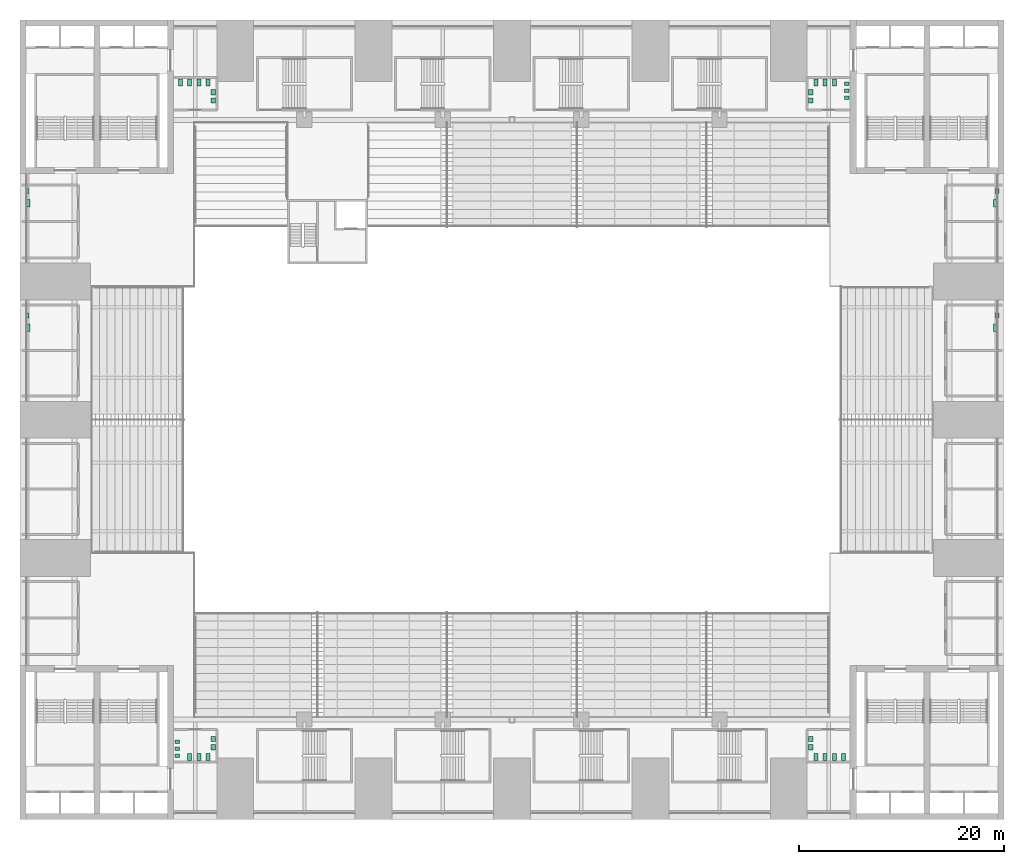
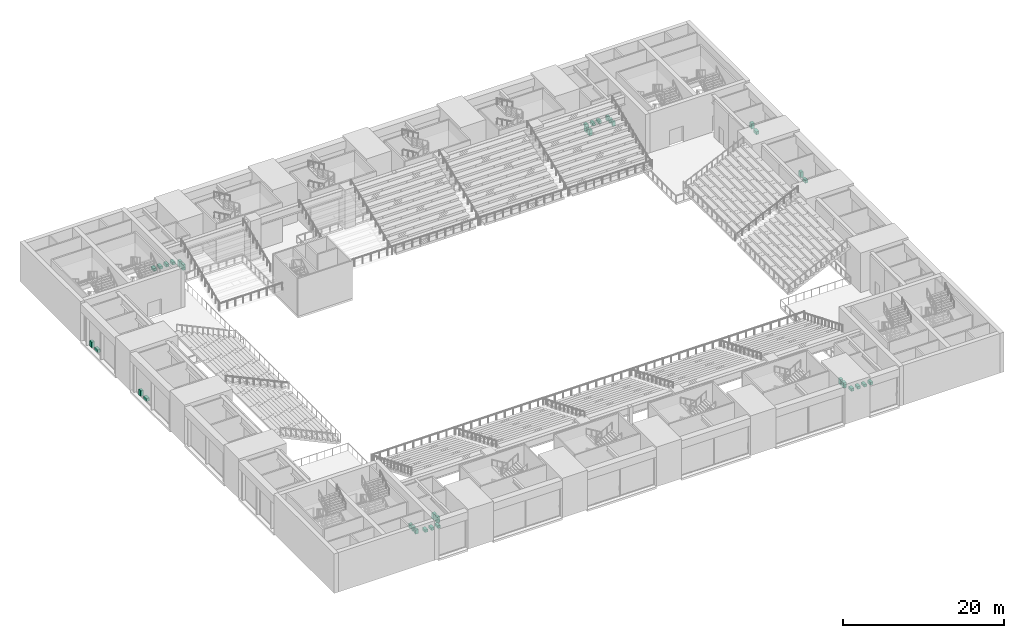
# One storey, part 61 of 61: 36 sanitary terminals.
"""IFC4 building model written with IfcOpenShell, lengths in metres."""

from ifc_helpers import new_model, si_unit, direction, frame, origin, origin_2d, place, context, subcontext, project, spatial, rectangle, extrude, material, type_object, element, save


model = new_model("IFC4")

# Units and contexts
model_context = context("Model", 3, precision=1e-05, world=origin(), true_north=direction((0.0, 1.0)))
body_context = subcontext(model_context, "Body", "Model", "MODEL_VIEW")
ifc_project = project(units=[si_unit("LENGTHUNIT", "METRE"), si_unit("AREAUNIT", "SQUARE_METRE"), si_unit("VOLUMEUNIT", "CUBIC_METRE"), si_unit("PLANEANGLEUNIT", "RADIAN"), si_unit("MASSUNIT", "GRAM", prefix="KILO")], contexts=[model_context])

# Site, building, storey
site_placement = place(None, origin())
site = spatial("IfcSite", under=ifc_project, at=site_placement, CompositionType="ELEMENT")
building_placement = place(site_placement, origin())
building = spatial("IfcBuilding", under=site, at=building_placement, Name="Corbelhall Arena Tower", CompositionType="ELEMENT")
storey_placement = place(building_placement, frame((0.0, 0.0, 31.0)))
storey = spatial("IfcBuildingStorey", under=building, at=storey_placement, Name="L04", CompositionType="ELEMENT", Elevation=31.0)

# Sanitary terminals
ifc_material = material(Name="Vitreous china")
sanitary_terminal_type_1 = type_object("IfcSanitaryTerminalType", Name="AR-BASIN", PredefinedType="WASHHANDBASIN", material=ifc_material)
for number, where, z_axis, x_axis, name in (
    (1, (47.300048828125, 10.175048828125, 0.0), (0.0, 0.0, 1.0), (1.0, 0.0, 0.0), "Basin"),
    (2, (47.300048828125, 22.324951171875, 0.0), (0.0, 0.0, 1.0), (1.0, 0.0, 0.0), "Basin"),
    (3, (-47.300048828125, 10.175048828125, 0.0), (0.0, 0.0, 1.0), (1.0, 0.0, 0.0), "Basin"),
    (4, (-47.300048828125, 22.324951171875, 0.0), (0.0, 0.0, 1.0), (1.0, 0.0, 0.0), "Basin"),
    (5, (29.14501953125, 31.14990234375, 0.0), (0.0, 0.0, 1.0), (1.0, 0.0, 0.0), "Basin"),
    (6, (29.14501953125, 31.949951171875, 0.0), (0.0, 0.0, 1.0), (1.0, 0.0, 0.0), "Basin"),
    (7, (-29.14501953125, 31.14990234375, 0.0), (0.0, 0.0, 1.0), (1.0, 0.0, 0.0), "Basin"),
    (8, (-29.14501953125, 31.949951171875, 0.0), (0.0, 0.0, 1.0), (1.0, 0.0, 0.0), "Basin"),
    (9, (29.14501953125, -31.14990234375, 0.0), (0.0, 0.0, 1.0), (1.0, 0.0, 0.0), "Basin"),
    (10, (29.14501953125, -31.949951171875, 0.0), (0.0, 0.0, 1.0), (1.0, 0.0, 0.0), "Basin"),
    (11, (-29.14501953125, -31.14990234375, 0.0), (0.0, 0.0, 1.0), (1.0, 0.0, 0.0), "Basin"),
    (12, (-29.14501953125, -31.949951171875, 0.0), (0.0, 0.0, 1.0), (1.0, 0.0, 0.0), "Basin"),
):
    element("IfcSanitaryTerminal", number, at=place(storey_placement, frame(where, z_axis=z_axis, x_axis=x_axis)), inside=storey, type_object=sanitary_terminal_type_1, Name=name, PredefinedType="WASHHANDBASIN", context=body_context, shape_type="SweptSolid", body=[
        extrude(rectangle(XDim=0.39990234375, YDim=0.5, at=origin_2d()), origin(), (0.0, 0.0, 1.0), 0.85009765625),
    ])
sanitary_terminal_type_2 = type_object("IfcSanitaryTerminalType", Name="AR-URINAL", PredefinedType="URINAL", material=ifc_material)
for number, where, z_axis, x_axis, name in (
    (13, (32.655029296875, 31.39990234375, 0.0), (0.0, 0.0, 1.0), (1.0, 0.0, 0.0), "Urinal"),
    (14, (32.655029296875, 32.10009765625, 0.0), (0.0, 0.0, 1.0), (1.0, 0.0, 0.0), "Urinal"),
    (15, (32.655029296875, 32.800048828125, 0.0), (0.0, 0.0, 1.0), (1.0, 0.0, 0.0), "Urinal"),
    (16, (-32.655029296875, -31.39990234375, 0.0), (0.0, 0.0, 1.0), (1.0, 0.0, 0.0), "Urinal"),
    (17, (-32.655029296875, -32.10009765625, 0.0), (0.0, 0.0, 1.0), (1.0, 0.0, 0.0), "Urinal"),
    (18, (-32.655029296875, -32.800048828125, 0.0), (0.0, 0.0, 1.0), (1.0, 0.0, 0.0), "Urinal"),
):
    element("IfcSanitaryTerminal", number, at=place(storey_placement, frame(where, z_axis=z_axis, x_axis=x_axis)), inside=storey, type_object=sanitary_terminal_type_2, Name=name, PredefinedType="URINAL", context=body_context, shape_type="SweptSolid", body=[
        extrude(rectangle(XDim=0.39990234375, YDim=0.35009765625, at=origin_2d()), origin(), (0.0, 0.0, 1.0), 0.64990234375),
    ])
sanitary_terminal_type_3 = type_object("IfcSanitaryTerminalType", Name="AR-WC-ACC", PredefinedType="TOILETPAN", material=ifc_material)
for number, where, z_axis, x_axis, name in (
    (19, (47.199951171875, 8.97509765625, 0.0), (0.0, 0.0, 1.0), (1.0, 0.0, 0.0), "Wc Acc"),
    (20, (47.199951171875, 21.125, 0.0), (0.0, 0.0, 1.0), (1.0, 0.0, 0.0), "Wc Acc"),
    (21, (-47.199951171875, 8.97509765625, 0.0), (0.0, 0.0, 1.0), (1.0, 0.0, 0.0), "Wc Acc"),
    (22, (-47.199951171875, 21.125, 0.0), (0.0, 0.0, 1.0), (1.0, 0.0, 0.0), "Wc Acc"),
):
    element("IfcSanitaryTerminal", number, at=place(storey_placement, frame(where, z_axis=z_axis, x_axis=x_axis)), inside=storey, type_object=sanitary_terminal_type_3, Name=name, PredefinedType="TOILETPAN", context=body_context, shape_type="SweptSolid", body=[
        extrude(rectangle(XDim=0.39990234375, YDim=0.75, at=origin_2d()), origin(), (0.0, 0.0, 1.0), 0.449951171875),
    ])
sanitary_terminal_type_4 = type_object("IfcSanitaryTerminalType", Name="AR-WC-PAN", PredefinedType="TOILETPAN", material=ifc_material)
for number, where, z_axis, x_axis, name in (
    (23, (29.64990234375, 32.905029296875, 0.0), (0.0, 0.0, 1.0), (1.0, 0.0, 0.0), "Wc Pan"),
    (24, (30.550048828125, 32.905029296875, 0.0), (0.0, 0.0, 1.0), (1.0, 0.0, 0.0), "Wc Pan"),
    (25, (31.449951171875, 32.905029296875, 0.0), (0.0, 0.0, 1.0), (1.0, 0.0, 0.0), "Wc Pan"),
    (26, (-29.64990234375, 32.905029296875, 0.0), (0.0, 0.0, 1.0), (1.0, 0.0, 0.0), "Wc Pan"),
    (27, (-30.550048828125, 32.905029296875, 0.0), (0.0, 0.0, 1.0), (1.0, 0.0, 0.0), "Wc Pan"),
    (28, (-31.449951171875, 32.905029296875, 0.0), (0.0, 0.0, 1.0), (1.0, 0.0, 0.0), "Wc Pan"),
    (29, (-32.35009765625, 32.905029296875, 0.0), (0.0, 0.0, 1.0), (1.0, 0.0, 0.0), "Wc Pan"),
    (30, (29.64990234375, -32.905029296875, 0.0), (0.0, 0.0, 1.0), (1.0, 0.0, 0.0), "Wc Pan"),
    (31, (30.550048828125, -32.905029296875, 0.0), (0.0, 0.0, 1.0), (1.0, 0.0, 0.0), "Wc Pan"),
    (32, (31.449951171875, -32.905029296875, 0.0), (0.0, 0.0, 1.0), (1.0, 0.0, 0.0), "Wc Pan"),
    (33, (32.35009765625, -32.905029296875, 0.0), (0.0, 0.0, 1.0), (1.0, 0.0, 0.0), "Wc Pan"),
    (34, (-29.64990234375, -32.905029296875, 0.0), (0.0, 0.0, 1.0), (1.0, 0.0, 0.0), "Wc Pan"),
    (35, (-30.550048828125, -32.905029296875, 0.0), (0.0, 0.0, 1.0), (1.0, 0.0, 0.0), "Wc Pan"),
    (36, (-31.449951171875, -32.905029296875, 0.0), (0.0, 0.0, 1.0), (1.0, 0.0, 0.0), "Wc Pan"),
):
    element("IfcSanitaryTerminal", number, at=place(storey_placement, frame(where, z_axis=z_axis, x_axis=x_axis)), inside=storey, type_object=sanitary_terminal_type_4, Name=name, PredefinedType="TOILETPAN", context=body_context, shape_type="SweptSolid", body=[
        extrude(rectangle(XDim=0.39990234375, YDim=0.699951171875, at=origin_2d()), origin(), (0.0, 0.0, 1.0), 0.39990234375),
    ])

save(model, "model.ifc")
